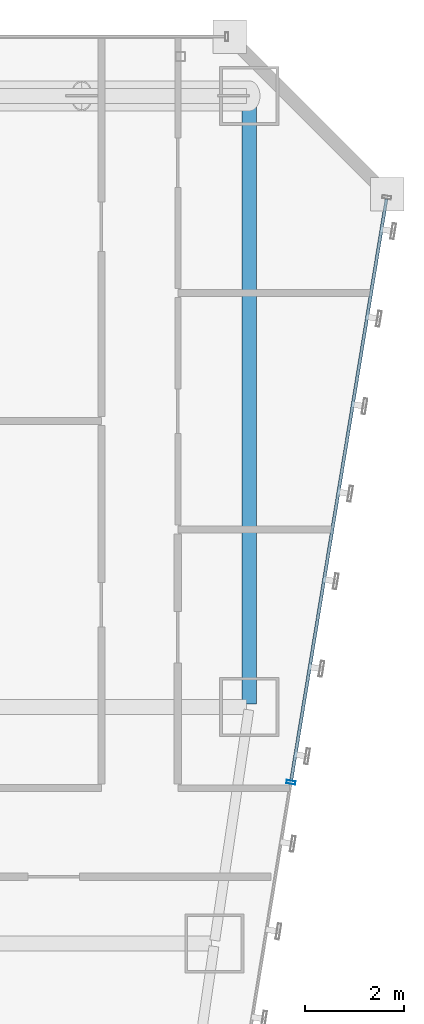
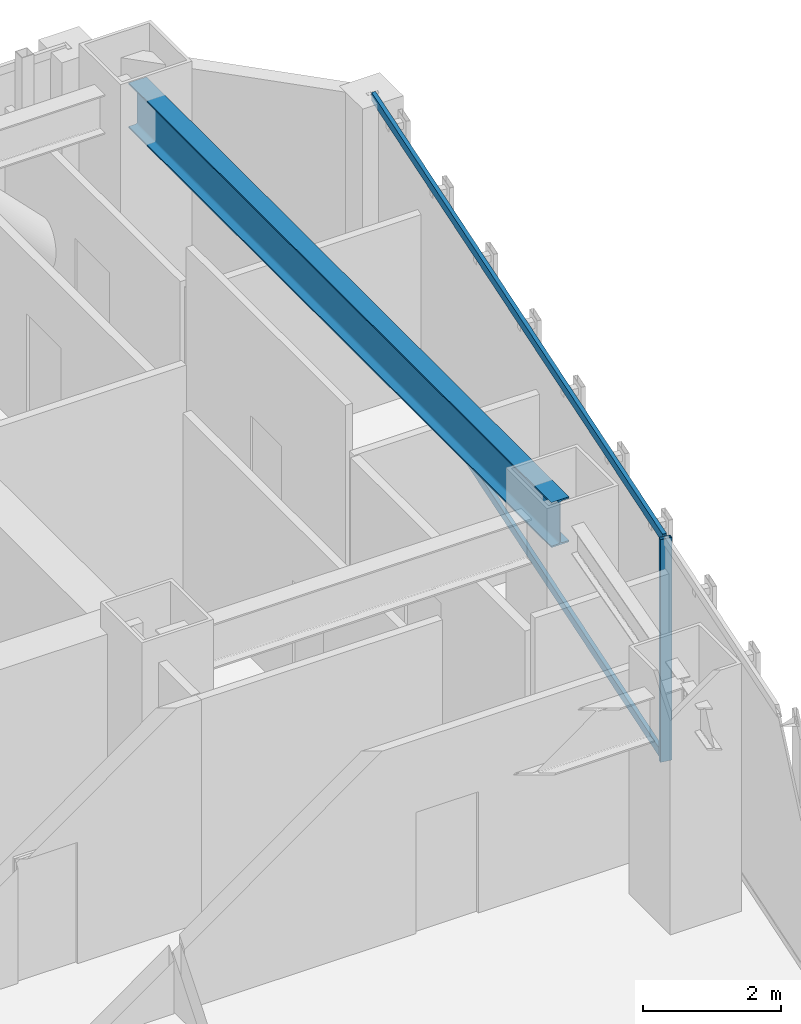
# One storey, part 31 of 47: 3 members, 1 beam, 1 element without a shape of its own.
"""IFC4 building model written with IfcOpenShell, lengths in metres."""

import ifcopenshell
import ifcopenshell.guid

model = None  # the IFC model being written
_history = None  # IfcOwnerHistory: only IFC2X3 demands one
_inside = {}  # id of a spatial element -> (the spatial element, [elements in it])
_under = {}  # id of a project, library or spatial element -> (it, [spatial elements below it])
_declared = {}  # id of a project -> (the project, [libraries it declares])
_typed = {}  # id of a type object -> (the type object, [elements of that type])
_made_of = {}  # id of a material, layer set ... -> (it, [elements and type objects made of it])


def new_model(schema):
    """Start an empty IFC model of exactly this schema.

    Asked for "IFC4X3", IfcOpenShell would pick the latest addendum, in which some entities
    have other attributes; the version numbers below select the first issue.
    IFC2X3 requires an IfcOwnerHistory on every rooted entity: one is made here for all.
    """
    global model, _history
    if schema == "IFC4X3":
        model = ifcopenshell.file(schema_version=(4, 3, 0, 0))
    else:
        model = ifcopenshell.file(schema=schema)
    _inside.clear()
    _under.clear()
    _declared.clear()
    _typed.clear()
    _made_of.clear()
    _history = None
    if model.schema == "IFC2X3":
        org = make("IfcOrganization", Name="unknown")
        user = make(
            "IfcPersonAndOrganization",
            ThePerson=make("IfcPerson", FamilyName="unknown"),
            TheOrganization=org,
        )
        app = make(
            "IfcApplication",
            ApplicationDeveloper=org,
            Version="unknown",
            ApplicationFullName="unknown",
            ApplicationIdentifier="unknown",
        )
        _history = make(
            "IfcOwnerHistory",
            OwningUser=user,
            OwningApplication=app,
            ChangeAction="ADDED",
            CreationDate=0,
        )
    return model


def make(cls, **values):
    """One entity of the class cls with the attributes given. An attribute that is None is left unset."""
    return model.create_entity(
        cls, **{name: value for name, value in values.items() if value is not None}
    )


def rooted(cls, **values):
    """An entity with a GlobalId (a new one), such as an element, a storey or a relation."""
    return make(cls, GlobalId=ifcopenshell.guid.new(), OwnerHistory=_history, **values)


def si_unit(unit_type, name, prefix=None):
    """IfcSIUnit, for example si_unit("LENGTHUNIT", "METRE", prefix="MILLI")."""
    return make("IfcSIUnit", UnitType=unit_type, Prefix=prefix, Name=name)


def assignment(units):
    """IfcUnitAssignment: the units of a project."""
    return None if units is None else make("IfcUnitAssignment", Units=units)


def point(xyz):
    """IfcCartesianPoint."""
    return None if xyz is None else make("IfcCartesianPoint", Coordinates=xyz)


def direction(xyz):
    """IfcDirection."""
    return None if xyz is None else make("IfcDirection", DirectionRatios=xyz)


def frame(location, z_axis=None, x_axis=None):
    """IfcAxis2Placement3D, a coordinate frame: its origin and axes. An axis left out is left unset."""
    return make(
        "IfcAxis2Placement3D",
        Location=point(location),
        Axis=direction(z_axis),
        RefDirection=direction(x_axis),
    )


def frame_2d(location, x_axis=None):
    """IfcAxis2Placement2D, a coordinate frame in the plane: its origin and x axis."""
    return make(
        "IfcAxis2Placement2D", Location=point(location), RefDirection=direction(x_axis)
    )


def origin():
    """The frame at (0, 0, 0) with its axes left unset."""
    return frame((0.0, 0.0, 0.0))


def origin_2d():
    """The frame at (0, 0) in the plane with its x axis left unset."""
    return frame_2d((0.0, 0.0))


def place(relative_to, where):
    """IfcLocalPlacement: puts the frame where relative to a parent placement (None: the world)."""
    return make(
        "IfcLocalPlacement", PlacementRelTo=relative_to, RelativePlacement=where
    )


def context(
    kind, dimensions, precision=None, world=None, true_north=None, identifier=None
):
    """IfcGeometricRepresentationContext, for example the 3D "Model" context."""
    return make(
        "IfcGeometricRepresentationContext",
        ContextIdentifier=identifier,
        ContextType=kind,
        CoordinateSpaceDimension=dimensions,
        Precision=precision,
        WorldCoordinateSystem=world,
        TrueNorth=true_north,
    )


def subcontext(parent, identifier, kind, view, scale=None):
    """IfcGeometricRepresentationSubContext, for example "Body" below "Model"."""
    return make(
        "IfcGeometricRepresentationSubContext",
        ContextIdentifier=identifier,
        ContextType=kind,
        ParentContext=parent,
        TargetScale=scale,
        TargetView=view,
    )


def project(units=None, contexts=None):
    """IfcProject with its units and contexts."""
    return rooted(
        "IfcProject",
        Name="project",
        RepresentationContexts=contexts,
        UnitsInContext=assignment(units),
    )


def spatial(cls, under=None, at=None, **own):
    """A site, building, storey or space (cls), placed at a placement, below another one or the project."""
    s = rooted(cls, ObjectPlacement=at, **own)
    if under is not None:
        _under.setdefault(under.id(), (under, []))[1].append(s)
    return s


def profile(cls, at=None, kind="AREA", **sizes):
    """A parametric profile (cls). Its sizes go by their IFC names, for example OverallWidth=200.0."""
    return make(cls, ProfileType=kind, Position=at, **sizes)


def hollow_rectangle(**sizes):
    """IfcRectangleHollowProfileDef."""
    return profile("IfcRectangleHollowProfileDef", **sizes)


def i_section(**sizes):
    """IfcIShapeProfileDef."""
    return profile("IfcIShapeProfileDef", **sizes)


def extrude(swept, where, along, depth):
    """IfcExtrudedAreaSolid: the profile swept, set in the frame where, extruded along a direction by depth."""
    return make(
        "IfcExtrudedAreaSolid",
        SweptArea=swept,
        Position=where,
        ExtrudedDirection=direction(along),
        Depth=depth,
    )


def shape(context_of_items, identifier, shape_type, items):
    """IfcShapeRepresentation: the items that make up one representation, for example the "Body"."""
    return make(
        "IfcShapeRepresentation",
        ContextOfItems=context_of_items,
        RepresentationIdentifier=identifier,
        RepresentationType=shape_type,
        Items=items,
    )


def material(Name=None, Category=None):
    """IfcMaterial."""
    return make("IfcMaterial", Name=Name, Category=Category)


def material_profile(
    of_material, cross_section, Name=None, Category=None, Priority=None
):
    """IfcMaterialProfile: a cross section and its material."""
    return make(
        "IfcMaterialProfile",
        Name=Name,
        Material=of_material,
        Profile=cross_section,
        Priority=Priority,
        Category=Category,
    )


def profile_set(profiles, Name=None, composite=None):
    """IfcMaterialProfileSet."""
    return make(
        "IfcMaterialProfileSet",
        Name=Name,
        MaterialProfiles=profiles,
        CompositeProfile=composite,
    )


def made_of(thing, what):
    """Note that an element or type object is made of a material, layer set ...; save() writes the relation."""
    if what is not None:
        _made_of.setdefault(what.id(), (what, []))[1].append(thing)
    return thing


def type_object(cls, material=None, **own):
    """A type object (cls), such as IfcWallType, which elements share."""
    return made_of(rooted(cls, **own), material)


def element(
    cls,
    number,
    at=None,
    inside=None,
    cuts=None,
    type_object=None,
    material=None,
    context=None,
    identifier="Body",
    shape_type=None,
    held_by="IfcProductDefinitionShape",
    body=None,
    shapes=None,
    **own,
):
    """One element of the class cls, such as IfcWall. Its Tag is "e" and its number.

    at: its placement. inside: the storey or other place that contains it. cuts: it is an
    opening in that element (IfcRelVoidsElement). A single representation is given by context,
    identifier, shape_type and body (its items); several are given by shapes. held_by: the class
    of the entity that holds the representations. save() writes the other relations.
    """
    e = rooted(cls, Tag="e%d" % number, ObjectPlacement=at, **own)
    if body is not None:
        shapes = [shape(context, identifier, shape_type, body)]
    if shapes is not None:
        e.Representation = make(held_by, Representations=shapes)
    if inside is not None:
        _inside.setdefault(inside.id(), (inside, []))[1].append(e)
    if cuts is not None:
        rooted(
            "IfcRelVoidsElement", RelatingBuildingElement=cuts, RelatedOpeningElement=e
        )
    if type_object is not None:
        _typed.setdefault(type_object.id(), (type_object, []))[1].append(e)
    return made_of(e, material)


def aggregate(whole, parts):
    """IfcRelAggregates: a whole, such as a stair, and the parts it consists of."""
    return rooted("IfcRelAggregates", RelatingObject=whole, RelatedObjects=parts)


def save(model, path):
    """Write the relations noted so far, then the file.

    IfcRelAggregates (storeys below a building ...), IfcRelContainedInSpatialStructure (elements
    in a storey), IfcRelDefinesByType, IfcRelAssociatesMaterial and IfcRelDeclares: one each for
    every whole, place, type object, material and project.
    """
    for whole, parts in _under.values():
        aggregate(whole, parts)
    for where, things in _inside.values():
        rooted(
            "IfcRelContainedInSpatialStructure",
            RelatedElements=things,
            RelatingStructure=where,
        )
    for kind, things in _typed.values():
        rooted("IfcRelDefinesByType", RelatedObjects=things, RelatingType=kind)
    for what, things in _made_of.values():
        rooted("IfcRelAssociatesMaterial", RelatedObjects=things, RelatingMaterial=what)
    for by, libraries in _declared.values():
        rooted("IfcRelDeclares", RelatingContext=by, RelatedDefinitions=libraries)
    model.write(path)


model = new_model("IFC4")

# Units and contexts
model_context = context("Model", 3, precision=1e-05, world=origin(), true_north=direction((0.0, 1.0)))
body_context = subcontext(model_context, "Body", "Model", "MODEL_VIEW")
ifc_project = project(units=[si_unit("LENGTHUNIT", "METRE"), si_unit("AREAUNIT", "SQUARE_METRE"), si_unit("VOLUMEUNIT", "CUBIC_METRE"), si_unit("PLANEANGLEUNIT", "RADIAN"), si_unit("MASSUNIT", "GRAM", prefix="KILO")], contexts=[model_context])

# Site, building, storey
site_placement = place(None, origin())
site = spatial("IfcSite", under=ifc_project, at=site_placement, CompositionType="ELEMENT")
building_placement = place(site_placement, origin())
building = spatial("IfcBuilding", under=site, at=building_placement, Name="Saevonmaru Cultural Tower", CompositionType="ELEMENT")
storey_placement = place(building_placement, frame((0.0, 0.0, 82.39990234375)))
storey = spatial("IfcBuildingStorey", under=building, at=storey_placement, Name="L17", CompositionType="ELEMENT", Elevation=82.39990234375)

# Beam
ifc_material_1 = material(Name="Steel SM420", Category="steel")
ifc_material_profile_1 = material_profile(ifc_material_1, i_section(OverallWidth=0.300048828125, OverallDepth=0.800048828125, WebThickness=0.013916015625, FlangeThickness=0.02587890625, FilletRadius=0.028076171875, at=origin_2d()), Name="H-800x300x14x26")
ifc_profile_set_1 = profile_set([ifc_material_profile_1], Name="Steel SM420")
beam_type = type_object("IfcBeamType", Name="BM-G-H800", PredefinedType="BEAM", material=ifc_profile_set_1)
beam_placement = place(storey_placement, frame((53.199951171875, 54.739990234375, 3.550048828125), z_axis=(0.0, -1.0, 0.0), x_axis=(1.0, 0.0, 0.0)))
element("IfcBeam", 1, at=beam_placement, inside=storey, type_object=beam_type, Name="L17 Spine Transverse Girder E", PredefinedType="BEAM", context=body_context, shape_type="SweptSolid", body=[
    extrude(i_section(OverallWidth=0.300048828125, OverallDepth=0.800048828125, WebThickness=0.013916015625, FlangeThickness=0.02587890625, FilletRadius=0.028076171875, at=origin_2d()), origin(), (0.0, 0.0, 1.0), 12.280029296875),
])

# Curtain wall, members
ifc_material_2 = material(Name="Satin Bronze Anodised Aluminium", Category="aluminium")
curtain_wall_type = type_object("IfcCurtainWallType", Name="CW-TYP-A", PredefinedType="NOTDEFINED", material=ifc_material_2)
curtain_wall_placement = place(storey_placement, origin())
curtain_wall = element("IfcCurtainWall", 2, at=curtain_wall_placement, inside=storey, type_object=curtain_wall_type, Name="L17 Unitised Curtain Wall E8", PredefinedType="NOTDEFINED")
ifc_material_profile_2 = material_profile(ifc_material_2, hollow_rectangle(XDim=0.06494140625, YDim=0.179931640625, WallThickness=0.00390625, at=origin_2d()), Name="ALU-MULL-180x65x4")
ifc_profile_set_2 = profile_set([ifc_material_profile_2], Name="Satin Bronze Anodised Aluminium")
member_type_1 = type_object("IfcMemberType", Name="ML-CW-180x65", PredefinedType="MULLION", material=ifc_profile_set_2)
member_1_placement = place(storey_placement, frame((54.045166015625, 40.870361328125, 0.0), z_axis=(0.0, 0.0, 1.0), x_axis=(0.161708868641, 0.986838508472, 0.0)))
member_1 = element("IfcMember", 3, at=member_1_placement, type_object=member_type_1, Name="CW-TW-L17-E8 mullion 4", PredefinedType="MULLION", context=body_context, shape_type="SweptSolid", body=[
    extrude(hollow_rectangle(XDim=0.06494140625, YDim=0.179931640625, WallThickness=0.00390625, at=origin_2d()), origin(), (0.0, 0.0, 1.0), 3.9501953125),
])
ifc_material_profile_3 = material_profile(ifc_material_2, hollow_rectangle(XDim=0.06494140625, YDim=0.14990234375, WallThickness=0.00390625, at=origin_2d()), Name="ALU-TRAN-150x65x4")
ifc_profile_set_3 = profile_set([ifc_material_profile_3], Name="Satin Bronze Anodised Aluminium")
member_type_2 = type_object("IfcMemberType", Name="TR-CW-150x65", PredefinedType="USERDEFINED", material=ifc_profile_set_3)
member_2_placement = place(storey_placement, frame((54.05029296875, 40.902587890625, 0.03271484375), z_axis=(0.161724530373, 0.986835941925, 0.0), x_axis=(-0.986835941925, 0.161724530373, 0.0)))
member_2 = element("IfcMember", 4, at=member_2_placement, type_object=member_type_2, Name="CW-TW-L17-E8 transom 4.1", ObjectType="TRANSOM", PredefinedType="USERDEFINED", context=body_context, shape_type="SweptSolid", body=[
    extrude(hollow_rectangle(XDim=0.06494140625, YDim=0.14990234375, WallThickness=0.00390625, at=origin_2d()), origin(), (0.0, 0.0, 1.0), 11.963623046875),
])
member_3_placement = place(storey_placement, frame((54.05029296875, 40.902587890625, 3.91748046875), z_axis=(0.161724530373, 0.986835941925, 0.0), x_axis=(-0.986835941925, 0.161724530373, 0.0)))
member_3 = element("IfcMember", 5, at=member_3_placement, type_object=member_type_2, Name="CW-TW-L17-E8 transom 4.2", ObjectType="TRANSOM", PredefinedType="USERDEFINED", context=body_context, shape_type="SweptSolid", body=[
    extrude(hollow_rectangle(XDim=0.06494140625, YDim=0.14990234375, WallThickness=0.00390625, at=origin_2d()), origin(), (0.0, 0.0, 1.0), 11.963623046875),
])
aggregate(curtain_wall, [member_1, member_2, member_3])

save(model, "model.ifc")
